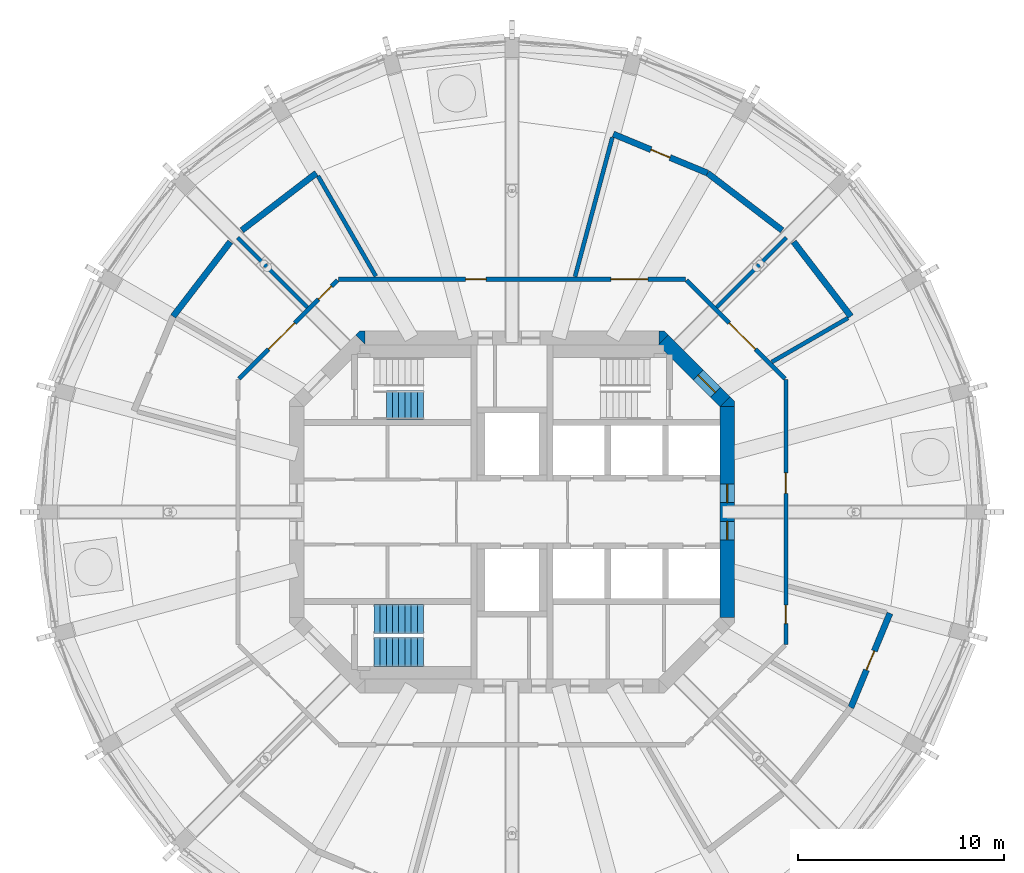
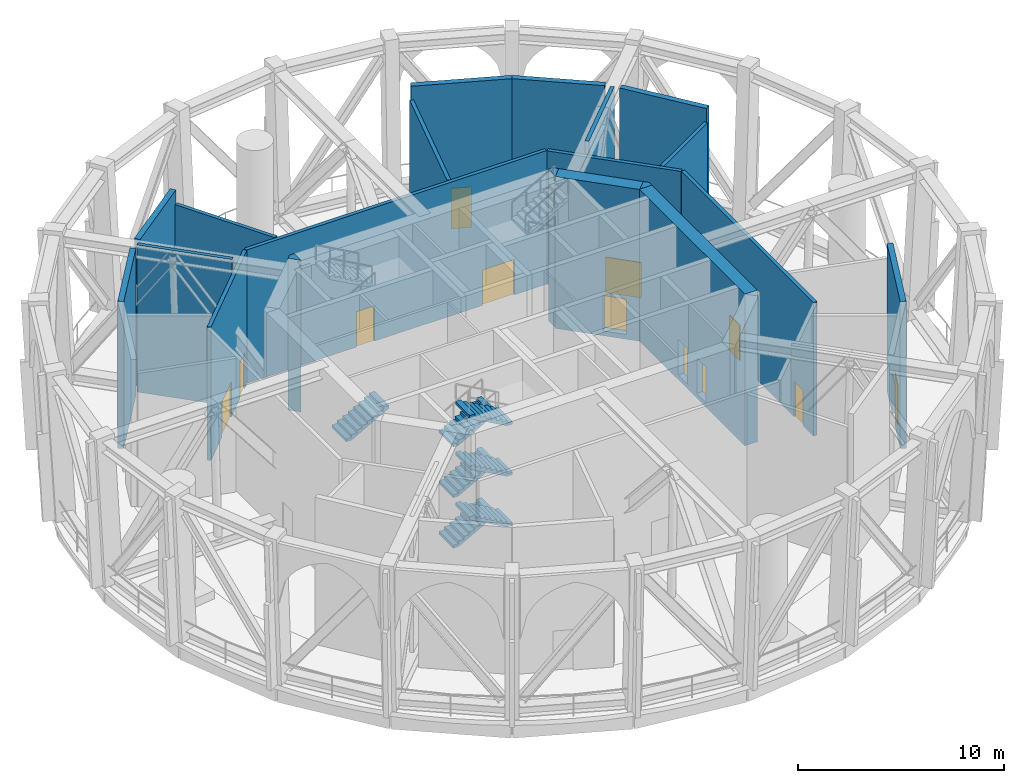
# One storey, part 7 of 12: 20 walls, 12 doors, 7 stair flights, 12 openings, 2 elements without a shape of their own.
"""IFC4 building model written with IfcOpenShell, lengths in metres."""

from ifc_helpers import new_model, si_unit, direction, frame, frame_2d, origin, place, context, subcontext, project, spatial, polyline, rectangle, outline, extrude, material, layer, layer_set, type_object, element, fill, aggregate, save


model = new_model("IFC4")

# Units and contexts
model_context = context("Model", 3, precision=1e-05, world=origin(), true_north=direction((0.0, 1.0)))
body_context = subcontext(model_context, "Body", "Model", "MODEL_VIEW")
ifc_project = project(units=[si_unit("LENGTHUNIT", "METRE"), si_unit("AREAUNIT", "SQUARE_METRE"), si_unit("VOLUMEUNIT", "CUBIC_METRE"), si_unit("PLANEANGLEUNIT", "RADIAN"), si_unit("MASSUNIT", "GRAM", prefix="KILO")], contexts=[model_context])

# Site, building, storey
site_placement = place(None, origin())
site = spatial("IfcSite", under=ifc_project, at=site_placement, CompositionType="ELEMENT")
building_placement = place(site_placement, origin())
building = spatial("IfcBuilding", under=site, at=building_placement, Name="Torre Triforio", CompositionType="ELEMENT")
storey_placement = place(building_placement, frame((0.0, 0.0, 183.800048828125)))
storey = spatial("IfcBuildingStorey", under=building, at=storey_placement, Name="L42", CompositionType="ELEMENT", Elevation=183.800048828125)

# Wall, openings, doors
ifc_material_1 = material(Name="Concrete C50", Category="concrete")
ifc_layer_1 = layer(ifc_material_1, 0.699951171875)
ifc_layer_set_1 = layer_set([ifc_layer_1], Name="Concrete C50")
wall_type_1 = type_object("IfcWallType", Name="Core wall 700 mm C50 EI 120", PredefinedType="SHEAR", material=ifc_layer_set_1)
wall_1_placement = place(storey_placement, frame((10.449951171875, -5.1298828125, -0.280029296875), z_axis=(0.0, 0.0, 1.0), x_axis=(0.0, 1.0, 0.0)))
wall_1 = element("IfcWall", 1, at=wall_1_placement, inside=storey, type_object=wall_type_1, Name="Core wall", PredefinedType="SHEAR", context=body_context, shape_type="SweptSolid", body=[
    extrude(rectangle(XDim=10.259765625, YDim=0.699951171875, at=frame_2d((5.1298828125, 0.0))), origin(), (0.0, 0.0, 1.0), 9.0),
])
opening_1_placement = place(wall_1_placement, frame((5.580078125, 0.0, 0.280029296875)))
opening_1 = element("IfcOpeningElement", 2, at=opening_1_placement, cuts=wall_1, Name="Opening E-RINGA", PredefinedType="OPENING", context=body_context, shape_type="SweptSolid", body=[
    extrude(rectangle(XDim=0.89990234375, YDim=2.10009765625, at=frame_2d((0.449951171875, 1.050048828125))), frame((0.0, 0.35986328125, 0.0), z_axis=(0.0, -1.0, 0.0), x_axis=(1.0, 0.0, 0.0)), (0.0, 0.0, 1.0), 0.719970703125),
])
opening_2_placement = place(wall_1_placement, frame((3.780029296875, 0.0, 0.280029296875)))
opening_2 = element("IfcOpeningElement", 3, at=opening_2_placement, cuts=wall_1, Name="Opening E-RING-2", PredefinedType="OPENING", context=body_context, shape_type="SweptSolid", body=[
    extrude(rectangle(XDim=0.89990234375, YDim=2.10009765625, at=frame_2d((0.449951171875, 1.050048828125))), frame((0.0, 0.35986328125, 0.0), z_axis=(0.0, -1.0, 0.0), x_axis=(1.0, 0.0, 0.0)), (0.0, 0.0, 1.0), 0.719970703125),
])
ifc_material_2 = material(Name="Hollow metal fire door leaf")
door_type_1 = type_object("IfcDoorType", Name="Lobby door 900 x 2100 EI 60", OperationType="NOTDEFINED", PredefinedType="DOOR", material=ifc_material_2)
door_1_placement = place(opening_1_placement, origin())
door_1 = element("IfcDoor", 4, at=door_1_placement, inside=storey, type_object=door_type_1, Name="Core door E-RING", OperationType="SINGLE_SWING_LEFT", OverallHeight=2.10009765625, OverallWidth=0.89990234375, PredefinedType="DOOR", context=body_context, shape_type="SweptSolid", body=[
    extrude(rectangle(XDim=0.89990234375, YDim=2.10009765625, at=frame_2d((0.449951171875, 1.050048828125))), frame((0.0, 0.02490234375, 0.0), z_axis=(0.0, -1.0, 0.0), x_axis=(1.0, 0.0, 0.0)), (0.0, 0.0, 1.0), 0.050048828125),
])
fill(opening_1, door_1)
door_2_placement = place(opening_2_placement, origin())
door_2 = element("IfcDoor", 5, at=door_2_placement, inside=storey, type_object=door_type_1, Name="Core door E-RING-2", OperationType="SINGLE_SWING_LEFT", OverallHeight=2.10009765625, OverallWidth=0.89990234375, PredefinedType="DOOR", context=body_context, shape_type="SweptSolid", body=[
    extrude(rectangle(XDim=0.89990234375, YDim=2.10009765625, at=frame_2d((0.449951171875, 1.050048828125))), frame((0.0, 0.02490234375, 0.0), z_axis=(0.0, -1.0, 0.0), x_axis=(1.0, 0.0, 0.0)), (0.0, 0.0, 1.0), 0.050048828125),
])
fill(opening_2, door_2)

# Wall, opening, door
wall_2_placement = place(storey_placement, frame((7.347412109375, 8.347412109375, -0.280029296875), z_axis=(0.0, 0.0, 1.0), x_axis=(0.707106781187, -0.707106781187, 0.0)))
wall_2 = element("IfcWall", 6, at=wall_2_placement, inside=storey, type_object=wall_type_1, Name="Core wall", PredefinedType="SHEAR", context=body_context, shape_type="SweptSolid", body=[
    extrude(rectangle(XDim=4.24267578125, YDim=0.699951171875, at=frame_2d((2.121337890625, 0.0))), origin(), (0.0, 0.0, 1.0), 9.0),
])
opening_3_placement = place(wall_2_placement, frame((2.389892578125, 0.0, 0.280029296875)))
opening_3 = element("IfcOpeningElement", 7, at=opening_3_placement, cuts=wall_2, Name="Opening ST2-EXIT", PredefinedType="OPENING", context=body_context, shape_type="SweptSolid", body=[
    extrude(rectangle(XDim=1.199951171875, YDim=2.10009765625, at=frame_2d((0.60009765625, 1.050048828125))), frame((0.0, 0.35986328125, 0.0), z_axis=(0.0, -1.0, 0.0), x_axis=(1.0, 0.0, 0.0)), (0.0, 0.0, 1.0), 0.719970703125),
])
door_type_2 = type_object("IfcDoorType", Name="Stair lobby door 1200 x 2100 EI 60", OperationType="NOTDEFINED", PredefinedType="DOOR", material=ifc_material_2)
door_3_placement = place(opening_3_placement, origin())
door_3 = element("IfcDoor", 8, at=door_3_placement, inside=storey, type_object=door_type_2, Name="Core door ST2-EXIT", OperationType="SINGLE_SWING_RIGHT", OverallHeight=2.10009765625, OverallWidth=1.199951171875, PredefinedType="DOOR", context=body_context, shape_type="SweptSolid", body=[
    extrude(rectangle(XDim=1.199951171875, YDim=2.10009765625, at=frame_2d((0.60009765625, 1.050048828125))), frame((0.0, 0.02490234375, 0.0), z_axis=(0.0, -1.0, 0.0), x_axis=(1.0, 0.0, 0.0)), (0.0, 0.0, 1.0), 0.050048828125),
])
fill(opening_3, door_3)

# Walls
wall_3_placement = place(storey_placement, frame((0.0, 0.0, -0.280029296875)))
element("IfcWall", 9, at=wall_3_placement, inside=storey, type_object=wall_type_1, Name="Core wall", PredefinedType="SHEAR", context=body_context, shape_type="SweptSolid", body=[
    extrude(outline(polyline([(10.800048828125, 5.389892578125), (10.800048828125, 5.1298828125), (10.800048828125, 5.1298828125), (10.1298828125, 5.1298828125), (10.594970703125, 5.594970703125), (10.594970703125, 5.594970703125), (10.594970703125, 5.594970703125), (10.800048828125, 5.389892578125)])), origin(), (0.0, 0.0, 1.0), 9.0),
])
wall_4_placement = place(storey_placement, frame((0.0, 0.0, -0.280029296875)))
element("IfcWall", 10, at=wall_4_placement, inside=storey, type_object=wall_type_1, Name="Core wall", PredefinedType="SHEAR", context=body_context, shape_type="SweptSolid", body=[
    extrude(outline(polyline([(-7.389892578125, 8.800048828125), (-7.1298828125, 8.800048828125), (-7.1298828125, 8.800048828125), (-7.1298828125, 8.1298828125), (-7.594970703125, 8.594970703125), (-7.594970703125, 8.594970703125), (-7.594970703125, 8.594970703125), (-7.389892578125, 8.800048828125)])), origin(), (0.0, 0.0, 1.0), 9.0),
])
wall_5_placement = place(storey_placement, frame((0.0, 0.0, -0.280029296875)))
element("IfcWall", 11, at=wall_5_placement, inside=storey, type_object=wall_type_1, Name="Core wall", PredefinedType="SHEAR", context=body_context, shape_type="SweptSolid", body=[
    extrude(outline(polyline([(7.389892578125, 8.800048828125), (7.594970703125, 8.594970703125), (7.594970703125, 8.594970703125), (7.594970703125, 8.594970703125), (7.1298828125, 8.1298828125), (7.1298828125, 8.800048828125), (7.1298828125, 8.800048828125), (7.389892578125, 8.800048828125)])), origin(), (0.0, 0.0, 1.0), 9.0),
])
ifc_material_3 = material(Name="Aluminium louvre blades", Category="aluminium")
ifc_layer_2 = layer(ifc_material_3, 0.300048828125)
ifc_layer_set_2 = layer_set([ifc_layer_2], Name="Aluminium louvre blades")
wall_type_2 = type_object("IfcWallType", Name="Louvred enclosure wall 300", PredefinedType="STANDARD", material=ifc_layer_set_2)
for number, where, z_axis, x_axis, name in (
    (12, (16.45458984375, 9.5, 0.0), (0.0, 0.0, 1.0), (-0.608786657876, 0.793333980864, 0.0), "Louvred enclosure L42 bay 03"),
    (13, (13.11767578125, 13.678466796875, 0.0), (0.0, 0.0, 1.0), (-0.793333980864, 0.608786657876, 0.0), "Louvred enclosure L42 bay 04"),
):
    element("IfcWall", number, at=place(storey_placement, frame(where, z_axis=z_axis, x_axis=x_axis)), inside=storey, type_object=wall_type_2, Name=name, PredefinedType="STANDARD", context=body_context, shape_type="SweptSolid", body=[
        extrude(rectangle(XDim=4.56005859375, YDim=0.300048828125, at=frame_2d((2.280029296875, 0.0))), origin(), (0.0, 0.0, 1.0), 8.719970703125),
    ])

# Wall, opening, door
wall_6_placement = place(storey_placement, frame((9.5, 16.45458984375, 0.0), z_axis=(0.0, 0.0, 1.0), x_axis=(-0.923893254961, 0.382650301762, 0.0)))
wall_6 = element("IfcWall", 14, at=wall_6_placement, inside=storey, type_object=wall_type_2, Name="Louvred enclosure L42 bay 05", PredefinedType="STANDARD", context=body_context, shape_type="SweptSolid", body=[
    extrude(rectangle(XDim=4.9599609375, YDim=0.300048828125, at=frame_2d((2.47998046875, 0.0))), origin(), (0.0, 0.0, 1.0), 8.719970703125),
])
opening_4_placement = place(wall_6_placement, frame((1.97998046875, 0.0, 0.0)))
opening_4 = element("IfcOpeningElement", 15, at=opening_4_placement, cuts=wall_6, Name="Opening PL2-D05", PredefinedType="OPENING", context=body_context, shape_type="SweptSolid", body=[
    extrude(rectangle(XDim=1.0, YDim=2.39990234375, at=frame_2d((0.5, 1.199951171875))), frame((0.0, 0.159912109375, 0.0), z_axis=(0.0, -1.0, 0.0), x_axis=(1.0, 0.0, 0.0)), (0.0, 0.0, 1.0), 0.320068359375),
])
ifc_material_4 = material(Name="Galvanised hollow metal louvred door")
door_type_3 = type_object("IfcDoorType", Name="Deck service door 1000 x 2400", OperationType="NOTDEFINED", PredefinedType="DOOR", material=ifc_material_4)
door_4_placement = place(opening_4_placement, origin())
door_4 = element("IfcDoor", 16, at=door_4_placement, inside=storey, type_object=door_type_3, Name="Deck service door L42 bay 05", OperationType="SINGLE_SWING_LEFT", OverallHeight=2.39990234375, OverallWidth=1.0, PredefinedType="DOOR", context=body_context, shape_type="SweptSolid", body=[
    extrude(rectangle(XDim=1.0, YDim=2.39990234375, at=frame_2d((0.5, 1.199951171875))), frame((0.0, 0.02490234375, 0.0), z_axis=(0.0, -1.0, 0.0), x_axis=(1.0, 0.0, 0.0)), (0.0, 0.0, 1.0), 0.050048828125),
])
fill(opening_4, door_4)

# Walls
for number, where, z_axis, x_axis, name in (
    (17, (-9.5, 16.45458984375, 0.0), (0.0, 0.0, 1.0), (-0.793333980864, -0.608786657876, 0.0), "Louvred enclosure L42 bay 09"),
    (18, (-13.678466796875, 13.11767578125, 0.0), (0.0, 0.0, 1.0), (-0.608786657876, -0.793333980864, 0.0), "Louvred enclosure L42 bay 10"),
):
    element("IfcWall", number, at=place(storey_placement, frame(where, z_axis=z_axis, x_axis=x_axis)), inside=storey, type_object=wall_type_2, Name=name, PredefinedType="STANDARD", context=body_context, shape_type="SweptSolid", body=[
        extrude(rectangle(XDim=4.56005859375, YDim=0.300048828125, at=frame_2d((2.280029296875, 0.0))), origin(), (0.0, 0.0, 1.0), 8.719970703125),
    ])

# Wall, opening, door
wall_7_placement = place(storey_placement, frame((16.45458984375, -9.5, 0.0), z_axis=(0.0, 0.0, 1.0), x_axis=(0.382650301762, 0.923893254961, 0.0)))
wall_7 = element("IfcWall", 19, at=wall_7_placement, inside=storey, type_object=wall_type_2, Name="Louvred enclosure L42 bay 23", PredefinedType="STANDARD", context=body_context, shape_type="SweptSolid", body=[
    extrude(rectangle(XDim=4.9599609375, YDim=0.300048828125, at=frame_2d((2.47998046875, 0.0))), origin(), (0.0, 0.0, 1.0), 8.719970703125),
])
opening_5_placement = place(wall_7_placement, frame((1.97998046875, 0.0, 0.0)))
opening_5 = element("IfcOpeningElement", 20, at=opening_5_placement, cuts=wall_7, Name="Opening PL2-D23", PredefinedType="OPENING", context=body_context, shape_type="SweptSolid", body=[
    extrude(rectangle(XDim=1.0, YDim=2.39990234375, at=frame_2d((0.5, 1.199951171875))), frame((0.0, 0.159912109375, 0.0), z_axis=(0.0, -1.0, 0.0), x_axis=(1.0, 0.0, 0.0)), (0.0, 0.0, 1.0), 0.320068359375),
])
door_5_placement = place(opening_5_placement, origin())
door_5 = element("IfcDoor", 21, at=door_5_placement, inside=storey, type_object=door_type_3, Name="Deck service door L42 bay 23", OperationType="SINGLE_SWING_LEFT", OverallHeight=2.39990234375, OverallWidth=1.0, PredefinedType="DOOR", context=body_context, shape_type="SweptSolid", body=[
    extrude(rectangle(XDim=1.0, YDim=2.39990234375, at=frame_2d((0.5, 1.199951171875))), frame((0.0, 0.02490234375, 0.0), z_axis=(0.0, -1.0, 0.0), x_axis=(1.0, 0.0, 0.0)), (0.0, 0.0, 1.0), 0.050048828125),
])
fill(opening_5, door_5)

# Wall, openings, doors
ifc_material_5 = material(Name="Masonry block", Category="masonry")
ifc_layer_3 = layer(ifc_material_5, 0.199951171875)
ifc_layer_set_3 = layer_set([ifc_layer_3], Name="Masonry block")
wall_type_3 = type_object("IfcWallType", Name="Plant room wall 200 mm block EI 120", PredefinedType="PARTITIONING", material=ifc_layer_set_3)
wall_8_placement = place(storey_placement, frame((-13.25048828125, 6.47509765625, 0.0), z_axis=(0.0, 0.0, 1.0), x_axis=(0.707106781187, 0.707106781187, 0.0)))
wall_8 = element("IfcWall", 22, at=wall_8_placement, inside=storey, type_object=wall_type_3, Name="Partition 5", PredefinedType="PARTITIONING", context=body_context, shape_type="SweptSolid", body=[
    extrude(rectangle(XDim=6.75341796875, YDim=0.199951171875, at=frame_2d((3.376708984375, 0.0))), origin(), (0.0, 0.0, 1.0), 7.919921875),
])
opening_6_placement = place(wall_8_placement, frame((5.447265625, 0.0, 0.0)))
opening_6 = element("IfcOpeningElement", 23, at=opening_6_placement, cuts=wall_8, Name="Opening PL2-05", PredefinedType="OPENING", context=body_context, shape_type="SweptSolid", body=[
    extrude(rectangle(XDim=0.89990234375, YDim=2.10009765625, at=frame_2d((0.449951171875, 1.050048828125))), frame((0.0, 0.10986328125, 0.0), z_axis=(0.0, -1.0, 0.0), x_axis=(1.0, 0.0, 0.0)), (0.0, 0.0, 1.0), 0.219970703125),
])
opening_7_placement = place(wall_8_placement, frame((2.021484375, 0.0, 0.0)))
opening_7 = element("IfcOpeningElement", 24, at=opening_7_placement, cuts=wall_8, Name="Opening PL2-06", PredefinedType="OPENING", context=body_context, shape_type="SweptSolid", body=[
    extrude(rectangle(XDim=1.800048828125, YDim=2.10009765625, at=frame_2d((0.89990234375, 1.050048828125))), frame((0.0, 0.10986328125, 0.0), z_axis=(0.0, -1.0, 0.0), x_axis=(1.0, 0.0, 0.0)), (0.0, 0.0, 1.0), 0.219970703125),
])
door_type_4 = type_object("IfcDoorType", Name="Door 1800 x 2100 double leaf EI 60", OperationType="DOUBLE_DOOR_SINGLE_SWING", PredefinedType="DOOR", material=ifc_material_2)
door_6_placement = place(opening_7_placement, origin())
door_6 = element("IfcDoor", 25, at=door_6_placement, inside=storey, type_object=door_type_4, Name="Door PL2-06", OperationType="DOUBLE_DOOR_SINGLE_SWING", OverallHeight=2.10009765625, OverallWidth=1.800048828125, PredefinedType="DOOR", context=body_context, shape_type="SweptSolid", body=[
    extrude(rectangle(XDim=1.800048828125, YDim=2.10009765625, at=frame_2d((0.89990234375, 1.050048828125))), frame((0.0, 0.02490234375, 0.0), z_axis=(0.0, -1.0, 0.0), x_axis=(1.0, 0.0, 0.0)), (0.0, 0.0, 1.0), 0.050048828125),
])
fill(opening_7, door_6)
door_type_5 = type_object("IfcDoorType", Name="Door 900 x 2100 single leaf EI 60", OperationType="NOTDEFINED", PredefinedType="DOOR", material=ifc_material_2)
door_7_placement = place(opening_6_placement, origin())
door_7 = element("IfcDoor", 26, at=door_7_placement, inside=storey, type_object=door_type_5, Name="Door PL2-05", OperationType="SINGLE_SWING_LEFT", OverallHeight=2.10009765625, OverallWidth=0.89990234375, PredefinedType="DOOR", context=body_context, shape_type="SweptSolid", body=[
    extrude(rectangle(XDim=0.89990234375, YDim=2.10009765625, at=frame_2d((0.449951171875, 1.050048828125))), frame((0.0, 0.02490234375, 0.0), z_axis=(0.0, -1.0, 0.0), x_axis=(1.0, 0.0, 0.0)), (0.0, 0.0, 1.0), 0.050048828125),
])
fill(opening_6, door_7)

wall_9_placement = place(storey_placement, frame((-8.425537109375, 11.300048828125, 0.0), z_axis=(0.0, 0.0, 1.0), x_axis=(1.0, 0.0, 0.0)))
wall_9 = element("IfcWall", 27, at=wall_9_placement, inside=storey, type_object=wall_type_3, Name="Partition 6", PredefinedType="PARTITIONING", context=body_context, shape_type="SweptSolid", body=[
    extrude(rectangle(XDim=16.85107421875, YDim=0.199951171875, at=frame_2d((8.425537109375, 0.0))), origin(), (0.0, 0.0, 1.0), 7.919921875),
])
opening_8_placement = place(wall_9_placement, frame((13.227294921875, 0.0, 0.0)))
opening_8 = element("IfcOpeningElement", 28, at=opening_8_placement, cuts=wall_9, Name="Opening PL2-03", PredefinedType="OPENING", context=body_context, shape_type="SweptSolid", body=[
    extrude(rectangle(XDim=1.800048828125, YDim=2.10009765625, at=frame_2d((0.89990234375, 1.050048828125))), frame((0.0, 0.10986328125, 0.0), z_axis=(0.0, -1.0, 0.0), x_axis=(1.0, 0.0, 0.0)), (0.0, 0.0, 1.0), 0.219970703125),
])
opening_9_placement = place(wall_9_placement, frame((6.17431640625, 0.0, 0.0)))
opening_9 = element("IfcOpeningElement", 29, at=opening_9_placement, cuts=wall_9, Name="Opening PL2-04", PredefinedType="OPENING", context=body_context, shape_type="SweptSolid", body=[
    extrude(rectangle(XDim=1.0, YDim=2.10009765625, at=frame_2d((0.5, 1.050048828125))), frame((0.0, 0.10986328125, 0.0), z_axis=(0.0, -1.0, 0.0), x_axis=(1.0, 0.0, 0.0)), (0.0, 0.0, 1.0), 0.219970703125),
])
door_type_6 = type_object("IfcDoorType", Name="Door 1000 x 2100 single leaf EI 60", OperationType="NOTDEFINED", PredefinedType="DOOR", material=ifc_material_2)
door_8_placement = place(opening_9_placement, origin())
door_8 = element("IfcDoor", 30, at=door_8_placement, inside=storey, type_object=door_type_6, Name="Door PL2-04", OperationType="SINGLE_SWING_LEFT", OverallHeight=2.10009765625, OverallWidth=1.0, PredefinedType="DOOR", context=body_context, shape_type="SweptSolid", body=[
    extrude(rectangle(XDim=1.0, YDim=2.10009765625, at=frame_2d((0.5, 1.050048828125))), frame((0.0, 0.02490234375, 0.0), z_axis=(0.0, -1.0, 0.0), x_axis=(1.0, 0.0, 0.0)), (0.0, 0.0, 1.0), 0.050048828125),
])
fill(opening_9, door_8)
door_9_placement = place(opening_8_placement, origin())
door_9 = element("IfcDoor", 31, at=door_9_placement, inside=storey, type_object=door_type_4, Name="Door PL2-03", OperationType="DOUBLE_DOOR_SINGLE_SWING", OverallHeight=2.10009765625, OverallWidth=1.800048828125, PredefinedType="DOOR", context=body_context, shape_type="SweptSolid", body=[
    extrude(rectangle(XDim=1.800048828125, YDim=2.10009765625, at=frame_2d((0.89990234375, 1.050048828125))), frame((0.0, 0.02490234375, 0.0), z_axis=(0.0, -1.0, 0.0), x_axis=(1.0, 0.0, 0.0)), (0.0, 0.0, 1.0), 0.050048828125),
])
fill(opening_8, door_9)

# Wall, opening, door
wall_10_placement = place(storey_placement, frame((8.47509765625, 11.25048828125, 0.0), z_axis=(0.0, 0.0, 1.0), x_axis=(0.707106781187, -0.707106781187, 0.0)))
wall_10 = element("IfcWall", 32, at=wall_10_placement, inside=storey, type_object=wall_type_3, Name="Partition 7", PredefinedType="PARTITIONING", context=body_context, shape_type="SweptSolid", body=[
    extrude(rectangle(XDim=6.75341796875, YDim=0.199951171875, at=frame_2d((3.376708984375, 0.0))), origin(), (0.0, 0.0, 1.0), 7.919921875),
])
opening_10_placement = place(wall_10_placement, frame((2.93212890625, 0.0, 0.0)))
opening_10 = element("IfcOpeningElement", 33, at=opening_10_placement, cuts=wall_10, Name="Opening PL2-02", PredefinedType="OPENING", context=body_context, shape_type="SweptSolid", body=[
    extrude(rectangle(XDim=1.800048828125, YDim=2.10009765625, at=frame_2d((0.89990234375, 1.050048828125))), frame((0.0, 0.10986328125, 0.0), z_axis=(0.0, -1.0, 0.0), x_axis=(1.0, 0.0, 0.0)), (0.0, 0.0, 1.0), 0.219970703125),
])
door_10_placement = place(opening_10_placement, origin())
door_10 = element("IfcDoor", 34, at=door_10_placement, inside=storey, type_object=door_type_4, Name="Door PL2-02", OperationType="DOUBLE_DOOR_SINGLE_SWING", OverallHeight=2.10009765625, OverallWidth=1.800048828125, PredefinedType="DOOR", context=body_context, shape_type="SweptSolid", body=[
    extrude(rectangle(XDim=1.800048828125, YDim=2.10009765625, at=frame_2d((0.89990234375, 1.050048828125))), frame((0.0, 0.02490234375, 0.0), z_axis=(0.0, -1.0, 0.0), x_axis=(1.0, 0.0, 0.0)), (0.0, 0.0, 1.0), 0.050048828125),
])
fill(opening_10, door_10)

# Wall, openings, doors
wall_11_placement = place(storey_placement, frame((13.300048828125, 6.425537109375, 0.0), z_axis=(0.0, 0.0, 1.0), x_axis=(0.0, -1.0, 0.0)))
wall_11 = element("IfcWall", 35, at=wall_11_placement, inside=storey, type_object=wall_type_3, Name="Partition 8", PredefinedType="PARTITIONING", context=body_context, shape_type="SweptSolid", body=[
    extrude(rectangle(XDim=12.85107421875, YDim=0.199951171875, at=frame_2d((6.425537109375, 0.0))), origin(), (0.0, 0.0, 1.0), 7.919921875),
])
opening_11_placement = place(wall_11_placement, frame((4.5205078125, 0.0, 0.0)))
opening_11 = element("IfcOpeningElement", 36, at=opening_11_placement, cuts=wall_11, Name="Opening PL2-01", PredefinedType="OPENING", context=body_context, shape_type="SweptSolid", body=[
    extrude(rectangle(XDim=1.0, YDim=2.10009765625, at=frame_2d((0.5, 1.050048828125))), frame((0.0, 0.10986328125, 0.0), z_axis=(0.0, -1.0, 0.0), x_axis=(1.0, 0.0, 0.0)), (0.0, 0.0, 1.0), 0.219970703125),
])
opening_12_placement = place(wall_11_placement, frame((10.945068359375, 0.0, 0.0)))
opening_12 = element("IfcOpeningElement", 37, at=opening_12_placement, cuts=wall_11, Name="Opening PL2-14", PredefinedType="OPENING", context=body_context, shape_type="SweptSolid", body=[
    extrude(rectangle(XDim=0.89990234375, YDim=2.10009765625, at=frame_2d((0.449951171875, 1.050048828125))), frame((0.0, 0.10986328125, 0.0), z_axis=(0.0, -1.0, 0.0), x_axis=(1.0, 0.0, 0.0)), (0.0, 0.0, 1.0), 0.219970703125),
])
door_11_placement = place(opening_11_placement, origin())
door_11 = element("IfcDoor", 38, at=door_11_placement, inside=storey, type_object=door_type_6, Name="Door PL2-01", OperationType="SINGLE_SWING_LEFT", OverallHeight=2.10009765625, OverallWidth=1.0, PredefinedType="DOOR", context=body_context, shape_type="SweptSolid", body=[
    extrude(rectangle(XDim=1.0, YDim=2.10009765625, at=frame_2d((0.5, 1.050048828125))), frame((0.0, 0.02490234375, 0.0), z_axis=(0.0, -1.0, 0.0), x_axis=(1.0, 0.0, 0.0)), (0.0, 0.0, 1.0), 0.050048828125),
])
fill(opening_11, door_11)
door_12_placement = place(opening_12_placement, origin())
door_12 = element("IfcDoor", 39, at=door_12_placement, inside=storey, type_object=door_type_5, Name="Door PL2-14", OperationType="SINGLE_SWING_LEFT", OverallHeight=2.10009765625, OverallWidth=0.89990234375, PredefinedType="DOOR", context=body_context, shape_type="SweptSolid", body=[
    extrude(rectangle(XDim=0.89990234375, YDim=2.10009765625, at=frame_2d((0.449951171875, 1.050048828125))), frame((0.0, 0.02490234375, 0.0), z_axis=(0.0, -1.0, 0.0), x_axis=(1.0, 0.0, 0.0)), (0.0, 0.0, 1.0), 0.050048828125),
])
fill(opening_12, door_12)

# Walls
wall_12_placement = place(storey_placement, frame((12.617919921875, 7.284912109375, 0.0), z_axis=(0.0, 0.0, 1.0), x_axis=(0.866005490874, 0.500034488586, 0.0)))
element("IfcWall", 40, at=wall_12_placement, inside=storey, type_object=wall_type_3, Name="Partition 9", PredefinedType="PARTITIONING", context=body_context, shape_type="SweptSolid", body=[
    extrude(rectangle(XDim=4.266845703125, YDim=0.199951171875, at=frame_2d((2.13330078125, 0.0))), origin(), (0.0, 0.0, 1.0), 7.919921875),
])
wall_13_placement = place(storey_placement, frame((9.93359375, 9.93359375, 0.0), z_axis=(0.0, 0.0, 1.0), x_axis=(0.707106781187, 0.707106781187, 0.0)))
element("IfcWall", 41, at=wall_13_placement, inside=storey, type_object=wall_type_3, Name="Partition 10", PredefinedType="PARTITIONING", context=body_context, shape_type="SweptSolid", body=[
    extrude(rectangle(XDim=4.78857421875, YDim=0.199951171875, at=frame_2d((2.394287109375, 0.0))), origin(), (0.0, 0.0, 1.0), 8.719970703125),
])
wall_14_placement = place(storey_placement, frame((3.0615234375, 11.425537109375, 0.0), z_axis=(0.0, 0.0, 1.0), x_axis=(0.258805157678, 0.965929547306, 0.0)))
element("IfcWall", 42, at=wall_14_placement, inside=storey, type_object=wall_type_3, Name="Partition 11", PredefinedType="PARTITIONING", context=body_context, shape_type="SweptSolid", body=[
    extrude(rectangle(XDim=7.008056640625, YDim=0.199951171875, at=frame_2d((3.50390625, 0.0))), origin(), (0.0, 0.0, 1.0), 7.919921875),
])
wall_15_placement = place(storey_placement, frame((-6.6103515625, 11.449462890625, 0.0), z_axis=(0.0, 0.0, 1.0), x_axis=(-0.500019734852, 0.866014009562, 0.0)))
element("IfcWall", 43, at=wall_15_placement, inside=storey, type_object=wall_type_3, Name="Partition 12", PredefinedType="PARTITIONING", context=body_context, shape_type="SweptSolid", body=[
    extrude(rectangle(XDim=5.615966796875, YDim=0.199951171875, at=frame_2d((2.80810546875, 0.0))), origin(), (0.0, 0.0, 1.0), 7.919921875),
])
wall_16_placement = place(storey_placement, frame((-9.93359375, 9.93359375, 0.0), z_axis=(0.0, 0.0, 1.0), x_axis=(-0.707106781187, 0.707106781187, 0.0)))
element("IfcWall", 44, at=wall_16_placement, inside=storey, type_object=wall_type_3, Name="Partition 13", PredefinedType="PARTITIONING", context=body_context, shape_type="SweptSolid", body=[
    extrude(rectangle(XDim=4.78857421875, YDim=0.199951171875, at=frame_2d((2.394287109375, 0.0))), origin(), (0.0, 0.0, 1.0), 8.719970703125),
])

# Stair, stair flight
ifc_material_6 = material(Name="Concrete C40", Category="concrete")
stair_type = type_object("IfcStairType", Name="STAIR DOUBLE RETURN", PredefinedType="DOUBLE_RETURN_STAIR", material=ifc_material_6)
stair_1_placement = place(storey_placement, origin())
stair_1 = element("IfcStair", 45, at=stair_1_placement, inside=storey, type_object=stair_type, Name="Exit stair 1", PredefinedType="DOUBLE_RETURN_STAIR")
stair_flight_type = type_object("IfcStairFlightType", Name="STAIR FLIGHT 1400", PredefinedType="STRAIGHT", material=ifc_material_6)
stair_flight_1_placement = place(storey_placement, frame((-6.699951171875, 5.199951171875, 0.0), z_axis=(0.0, 0.0, 1.0), x_axis=(1.0, 0.0, 0.0)))
stair_flight_1 = element("IfcStairFlight", 46, at=stair_flight_1_placement, type_object=stair_flight_type, Name="ST1 flight 1", NumberOfRisers=9, NumberOfTreads=8, PredefinedType="STRAIGHT", RiserHeight=0.166666667, TreadLength=0.3, context=body_context, shape_type="SweptSolid", body=[
    extrude(outline(polyline([(0.0, 0.0), (0.0, 0.166748046875), (0.300048828125, 0.166748046875), (0.300048828125, 0.333251953125), (0.60009765625, 0.333251953125), (0.60009765625, 0.5), (0.89990234375, 0.5), (0.89990234375, 0.666748046875), (1.199951171875, 0.666748046875), (1.199951171875, 0.833251953125), (1.5, 0.833251953125), (1.5, 1.0), (1.800048828125, 1.0), (1.800048828125, 1.166748046875), (2.10009765625, 1.166748046875), (2.10009765625, 1.333251953125), (2.39990234375, 1.333251953125), (2.39990234375, 1.5), (2.39990234375, 1.161865234375), (0.30859375, 0.0), (0.0, 0.0)])), frame((0.0, 0.699951171875, 0.0), z_axis=(0.0, -1.0, 0.0), x_axis=(1.0, 0.0, 0.0)), (0.0, 0.0, 1.0), 1.39990234375),
])
aggregate(stair_1, [stair_flight_1])

# Stair, stair flights
stair_2_placement = place(storey_placement, origin())
stair_2 = element("IfcStair", 47, at=stair_2_placement, inside=storey, type_object=stair_type, Name="Exit stair 3", PredefinedType="DOUBLE_RETURN_STAIR")
stair_flight_2_placement = place(storey_placement, frame((-6.699951171875, -5.199951171875, 0.0), z_axis=(0.0, 0.0, 1.0), x_axis=(1.0, 0.0, 0.0)))
stair_flight_2 = element("IfcStairFlight", 48, at=stair_flight_2_placement, type_object=stair_flight_type, Name="ST3 flight 1", NumberOfRisers=9, NumberOfTreads=8, PredefinedType="STRAIGHT", RiserHeight=0.166666667, TreadLength=0.3, context=body_context, shape_type="SweptSolid", body=[
    extrude(outline(polyline([(0.0, 0.0), (0.0, 0.166748046875), (0.300048828125, 0.166748046875), (0.300048828125, 0.333251953125), (0.60009765625, 0.333251953125), (0.60009765625, 0.5), (0.89990234375, 0.5), (0.89990234375, 0.666748046875), (1.199951171875, 0.666748046875), (1.199951171875, 0.833251953125), (1.5, 0.833251953125), (1.5, 1.0), (1.800048828125, 1.0), (1.800048828125, 1.166748046875), (2.10009765625, 1.166748046875), (2.10009765625, 1.333251953125), (2.39990234375, 1.333251953125), (2.39990234375, 1.5), (2.39990234375, 1.161865234375), (0.30859375, 0.0), (0.0, 0.0)])), frame((0.0, 0.699951171875, 0.0), z_axis=(0.0, -1.0, 0.0), x_axis=(1.0, 0.0, 0.0)), (0.0, 0.0, 1.0), 1.39990234375),
])
stair_flight_3_placement = place(storey_placement, frame((-4.300048828125, -6.800048828125, 1.5), z_axis=(0.0, 0.0, 1.0), x_axis=(-1.0, 0.0, 0.0)))
stair_flight_3 = element("IfcStairFlight", 49, at=stair_flight_3_placement, type_object=stair_flight_type, Name="ST3 flight 2", NumberOfRisers=9, NumberOfTreads=8, PredefinedType="STRAIGHT", RiserHeight=0.166666667, TreadLength=0.3, context=body_context, shape_type="SweptSolid", body=[
    extrude(outline(polyline([(0.0, 0.0), (0.0, 0.166748046875), (0.300048828125, 0.166748046875), (0.300048828125, 0.333251953125), (0.60009765625, 0.333251953125), (0.60009765625, 0.5), (0.89990234375, 0.5), (0.89990234375, 0.666748046875), (1.199951171875, 0.666748046875), (1.199951171875, 0.833251953125), (1.5, 0.833251953125), (1.5, 1.0), (1.800048828125, 1.0), (1.800048828125, 1.166748046875), (2.10009765625, 1.166748046875), (2.10009765625, 1.333251953125), (2.39990234375, 1.333251953125), (2.39990234375, 1.5), (2.39990234375, 1.161865234375), (0.30859375, 0.0), (0.0, 0.0)])), frame((0.0, 0.699951171875, 0.0), z_axis=(0.0, -1.0, 0.0), x_axis=(1.0, 0.0, 0.0)), (0.0, 0.0, 1.0), 1.39990234375),
])
stair_flight_4_placement = place(storey_placement, frame((-6.699951171875, -5.199951171875, 3.0), z_axis=(0.0, 0.0, 1.0), x_axis=(1.0, 0.0, 0.0)))
stair_flight_4 = element("IfcStairFlight", 50, at=stair_flight_4_placement, type_object=stair_flight_type, Name="ST3 flight 3", NumberOfRisers=9, NumberOfTreads=8, PredefinedType="STRAIGHT", RiserHeight=0.166666667, TreadLength=0.3, context=body_context, shape_type="SweptSolid", body=[
    extrude(outline(polyline([(0.0, 0.0), (0.0, 0.166748046875), (0.300048828125, 0.166748046875), (0.300048828125, 0.333251953125), (0.60009765625, 0.333251953125), (0.60009765625, 0.5), (0.89990234375, 0.5), (0.89990234375, 0.666748046875), (1.199951171875, 0.666748046875), (1.199951171875, 0.833251953125), (1.5, 0.833251953125), (1.5, 1.0), (1.800048828125, 1.0), (1.800048828125, 1.166748046875), (2.10009765625, 1.166748046875), (2.10009765625, 1.333251953125), (2.39990234375, 1.333251953125), (2.39990234375, 1.5), (2.39990234375, 1.161865234375), (0.30859375, 0.0), (0.0, 0.0)])), frame((0.0, 0.699951171875, 0.0), z_axis=(0.0, -1.0, 0.0), x_axis=(1.0, 0.0, 0.0)), (0.0, 0.0, 1.0), 1.39990234375),
])
stair_flight_5_placement = place(storey_placement, frame((-4.300048828125, -6.800048828125, 4.5), z_axis=(0.0, 0.0, 1.0), x_axis=(-1.0, 0.0, 0.0)))
stair_flight_5 = element("IfcStairFlight", 51, at=stair_flight_5_placement, type_object=stair_flight_type, Name="ST3 flight 4", NumberOfRisers=9, NumberOfTreads=8, PredefinedType="STRAIGHT", RiserHeight=0.166666667, TreadLength=0.3, context=body_context, shape_type="SweptSolid", body=[
    extrude(outline(polyline([(0.0, 0.0), (0.0, 0.166748046875), (0.300048828125, 0.166748046875), (0.300048828125, 0.333251953125), (0.60009765625, 0.333251953125), (0.60009765625, 0.5), (0.89990234375, 0.5), (0.89990234375, 0.666748046875), (1.199951171875, 0.666748046875), (1.199951171875, 0.833251953125), (1.5, 0.833251953125), (1.5, 1.0), (1.800048828125, 1.0), (1.800048828125, 1.166748046875), (2.10009765625, 1.166748046875), (2.10009765625, 1.333251953125), (2.39990234375, 1.333251953125), (2.39990234375, 1.5), (2.39990234375, 1.161865234375), (0.30859375, 0.0), (0.0, 0.0)])), frame((0.0, 0.699951171875, 0.0), z_axis=(0.0, -1.0, 0.0), x_axis=(1.0, 0.0, 0.0)), (0.0, 0.0, 1.0), 1.39990234375),
])
stair_flight_6_placement = place(storey_placement, frame((-6.699951171875, -5.199951171875, 6.0), z_axis=(0.0, 0.0, 1.0), x_axis=(1.0, 0.0, 0.0)))
stair_flight_6 = element("IfcStairFlight", 52, at=stair_flight_6_placement, type_object=stair_flight_type, Name="ST3 flight 5", NumberOfRisers=9, NumberOfTreads=8, PredefinedType="STRAIGHT", RiserHeight=0.166666667, TreadLength=0.3, context=body_context, shape_type="SweptSolid", body=[
    extrude(outline(polyline([(0.0, 0.0), (0.0, 0.166748046875), (0.300048828125, 0.166748046875), (0.300048828125, 0.333251953125), (0.60009765625, 0.333251953125), (0.60009765625, 0.5), (0.89990234375, 0.5), (0.89990234375, 0.666748046875), (1.199951171875, 0.666748046875), (1.199951171875, 0.833251953125), (1.5, 0.833251953125), (1.5, 1.0), (1.800048828125, 1.0), (1.800048828125, 1.166748046875), (2.10009765625, 1.166748046875), (2.10009765625, 1.333251953125), (2.39990234375, 1.333251953125), (2.39990234375, 1.5), (2.39990234375, 1.161865234375), (0.30859375, 0.0), (0.0, 0.0)])), frame((0.0, 0.699951171875, 0.0), z_axis=(0.0, -1.0, 0.0), x_axis=(1.0, 0.0, 0.0)), (0.0, 0.0, 1.0), 1.39990234375),
])
stair_flight_7_placement = place(storey_placement, frame((-4.300048828125, -6.800048828125, 7.5), z_axis=(0.0, 0.0, 1.0), x_axis=(-1.0, 0.0, 0.0)))
stair_flight_7 = element("IfcStairFlight", 53, at=stair_flight_7_placement, type_object=stair_flight_type, Name="ST3 flight 6", NumberOfRisers=9, NumberOfTreads=8, PredefinedType="STRAIGHT", RiserHeight=0.166666667, TreadLength=0.3, context=body_context, shape_type="SweptSolid", body=[
    extrude(outline(polyline([(0.0, 0.0), (0.0, 0.166748046875), (0.300048828125, 0.166748046875), (0.300048828125, 0.333251953125), (0.60009765625, 0.333251953125), (0.60009765625, 0.5), (0.89990234375, 0.5), (0.89990234375, 0.666748046875), (1.199951171875, 0.666748046875), (1.199951171875, 0.833251953125), (1.5, 0.833251953125), (1.5, 1.0), (1.800048828125, 1.0), (1.800048828125, 1.166748046875), (2.10009765625, 1.166748046875), (2.10009765625, 1.333251953125), (2.39990234375, 1.333251953125), (2.39990234375, 1.5), (2.39990234375, 1.161865234375), (0.30859375, 0.0), (0.0, 0.0)])), frame((0.0, 0.699951171875, 0.0), z_axis=(0.0, -1.0, 0.0), x_axis=(1.0, 0.0, 0.0)), (0.0, 0.0, 1.0), 1.39990234375),
])
aggregate(stair_2, [stair_flight_2, stair_flight_3, stair_flight_4, stair_flight_5, stair_flight_6, stair_flight_7])

save(model, "model.ifc")
